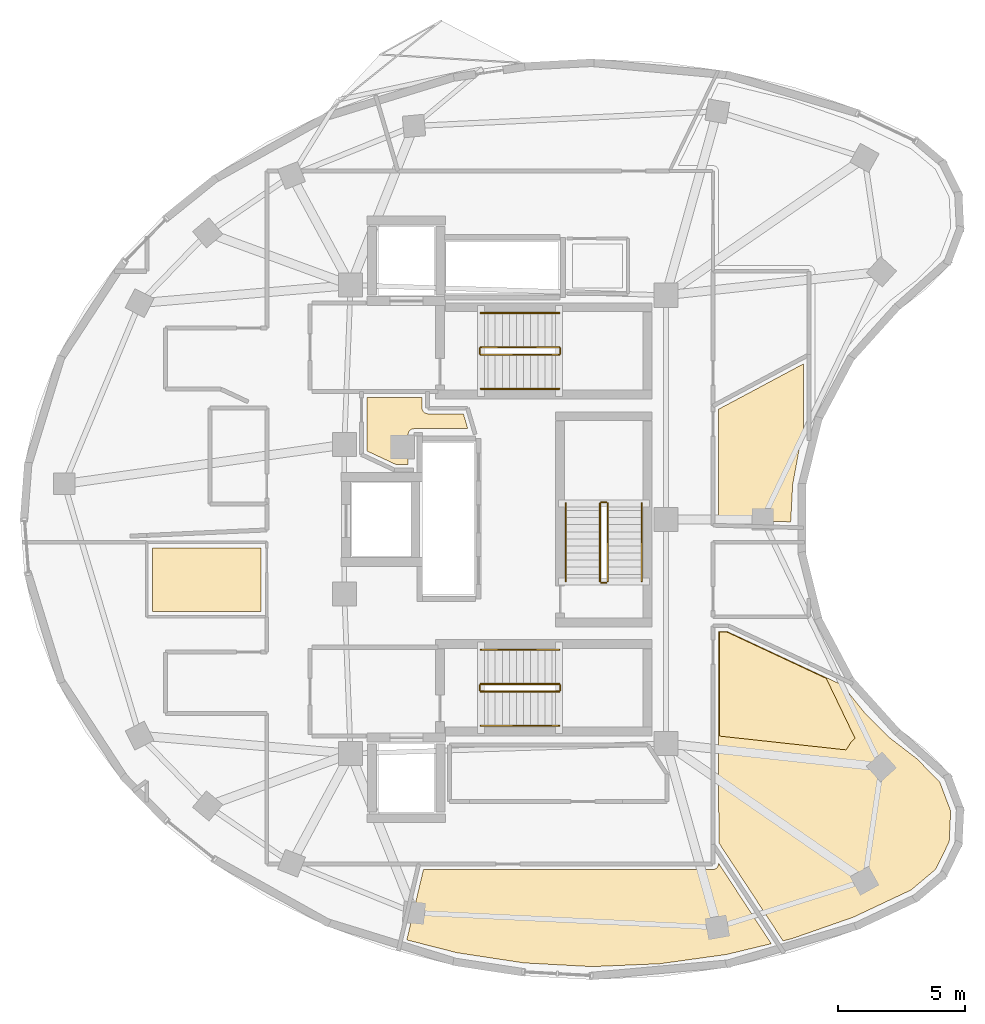
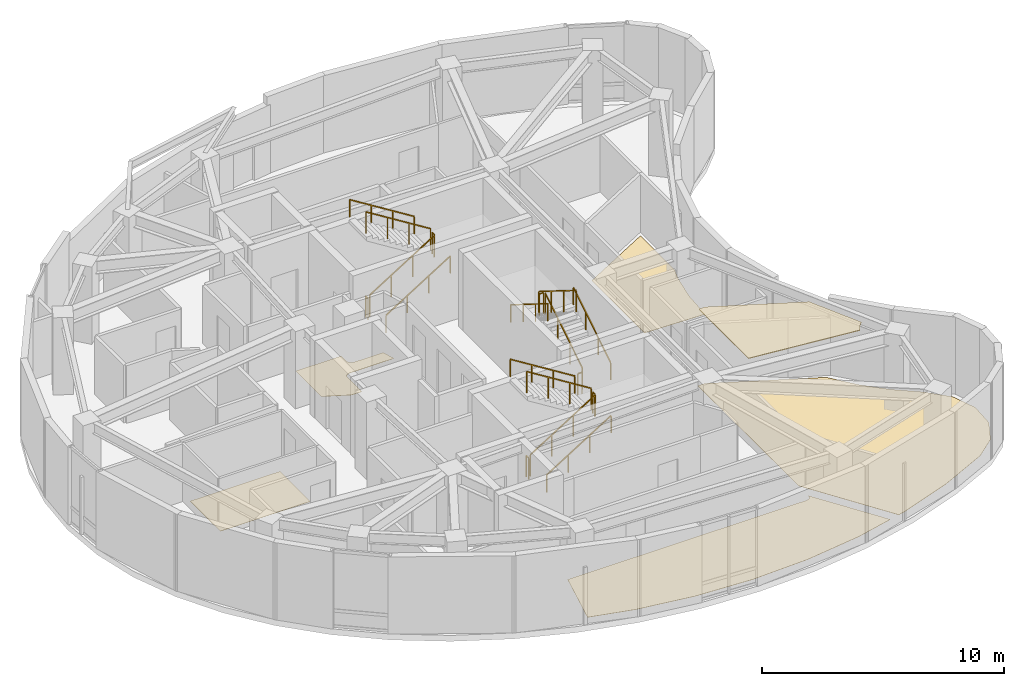
# One storey, part 7 of 8: 18 railings, 6 coverings.
"""IFC4 building model written with IfcOpenShell, lengths in metres."""

from ifc_helpers import new_model, si_unit, direction, frame, origin, origin_2d, place, context, subcontext, project, spatial, polyline, rectangle, outline, extrude, material, layer, layer_set, type_object, element, save


model = new_model("IFC4")

# Units and contexts
model_context = context("Model", 3, precision=1e-05, world=origin(), true_north=direction((0.0, 1.0)))
body_context = subcontext(model_context, "Body", "Model", "MODEL_VIEW")
ifc_project = project(units=[si_unit("LENGTHUNIT", "METRE"), si_unit("AREAUNIT", "SQUARE_METRE"), si_unit("VOLUMEUNIT", "CUBIC_METRE"), si_unit("PLANEANGLEUNIT", "RADIAN"), si_unit("MASSUNIT", "GRAM", prefix="KILO")], contexts=[model_context])

# Site, building, storey
site_placement = place(None, origin())
site = spatial("IfcSite", under=ifc_project, at=site_placement, CompositionType="ELEMENT")
building_placement = place(site_placement, origin())
building = spatial("IfcBuilding", under=site, at=building_placement, Name="Korentha Bioscience Tower", CompositionType="ELEMENT")
storey_placement = place(building_placement, frame((0.0, 0.0, 310.199951171875)))
storey = spatial("IfcBuildingStorey", under=building, at=storey_placement, Name="L71", CompositionType="ELEMENT", Elevation=310.199951171875)

# Railings
ifc_material_1 = material(Name="Stainless Steel 304", Category="steel")
railing_type_1 = type_object("IfcRailingType", Name="Brushed Stainless Stair Handrail 900", PredefinedType="HANDRAIL", material=ifc_material_1)
railing_1_placement = place(storey_placement, frame((30.25, 32.14990234375, 0.175048828125)))
element("IfcRailing", 1, at=railing_1_placement, inside=storey, type_object=railing_type_1, Name="L71 ST-1 stair handrail 1", PredefinedType="HANDRAIL", context=body_context, shape_type="SweptSolid", body=[
    extrude(rectangle(XDim=0.048095703125, YDim=0.048095703125, at=origin_2d()), frame((0.0, 0.0, 0.8759765625), z_axis=(0.847998304005, 0.0, 0.529998940003), x_axis=(0.0, 1.0, 0.0)), (0.0, 0.0, 1.0), 3.632080078125),
    extrude(rectangle(XDim=0.0419921875, YDim=0.0419921875, at=origin_2d()), origin(), (0.0, 0.0, 1.0), 0.851806640625),
    extrude(rectangle(XDim=0.0419921875, YDim=0.0419921875, at=origin_2d()), frame((1.026611328125, 0.0, 0.6416015625)), (0.0, 0.0, 1.0), 0.851806640625),
    extrude(rectangle(XDim=0.0419921875, YDim=0.0419921875, at=origin_2d()), frame((2.053466796875, 0.0, 1.283447265625)), (0.0, 0.0, 1.0), 0.851806640625),
    extrude(rectangle(XDim=0.0419921875, YDim=0.0419921875, at=origin_2d()), frame((3.080078125, 0.0, 1.925048828125)), (0.0, 0.0, 1.0), 0.851806640625),
])
railing_2_placement = place(storey_placement, frame((33.330078125, 35.14990234375, 2.275146484375)))
element("IfcRailing", 2, at=railing_2_placement, inside=storey, type_object=railing_type_1, Name="L71 ST-1 stair handrail 2", PredefinedType="HANDRAIL", context=body_context, shape_type="SweptSolid", body=[
    extrude(rectangle(XDim=0.048095703125, YDim=0.048095703125, at=origin_2d()), frame((0.0, 0.0, 0.8759765625), z_axis=(-0.848028513186, 0.0, 0.529950602248), x_axis=(0.0, -1.0, 0.0)), (0.0, 0.0, 1.0), 3.632080078125),
    extrude(rectangle(XDim=0.0419921875, YDim=0.0419921875, at=origin_2d()), origin(), (0.0, 0.0, 1.0), 0.851806640625),
    extrude(rectangle(XDim=0.0419921875, YDim=0.0419921875, at=origin_2d()), frame((-1.026611328125, 0.0, 0.6416015625)), (0.0, 0.0, 1.0), 0.851806640625),
    extrude(rectangle(XDim=0.0419921875, YDim=0.0419921875, at=origin_2d()), frame((-2.053466796875, 0.0, 1.283203125)), (0.0, 0.0, 1.0), 0.851806640625),
    extrude(rectangle(XDim=0.0419921875, YDim=0.0419921875, at=origin_2d()), frame((-3.080078125, 0.0, 1.9248046875)), (0.0, 0.0, 1.0), 0.851806640625),
])
railing_3_placement = place(storey_placement, frame((30.25, 18.85009765625, 0.175048828125)))
element("IfcRailing", 3, at=railing_3_placement, inside=storey, type_object=railing_type_1, Name="L71 ST-2 stair handrail 1", PredefinedType="HANDRAIL", context=body_context, shape_type="SweptSolid", body=[
    extrude(rectangle(XDim=0.048095703125, YDim=0.048095703125, at=origin_2d()), frame((0.0, 0.0, 0.8759765625), z_axis=(0.847998304005, 0.0, 0.529998940003), x_axis=(0.0, 1.0, 0.0)), (0.0, 0.0, 1.0), 3.632080078125),
    extrude(rectangle(XDim=0.0419921875, YDim=0.0419921875, at=origin_2d()), origin(), (0.0, 0.0, 1.0), 0.851806640625),
    extrude(rectangle(XDim=0.0419921875, YDim=0.0419921875, at=origin_2d()), frame((1.026611328125, 0.0, 0.6416015625)), (0.0, 0.0, 1.0), 0.851806640625),
    extrude(rectangle(XDim=0.0419921875, YDim=0.0419921875, at=origin_2d()), frame((2.053466796875, 0.0, 1.283447265625)), (0.0, 0.0, 1.0), 0.851806640625),
    extrude(rectangle(XDim=0.0419921875, YDim=0.0419921875, at=origin_2d()), frame((3.080078125, 0.0, 1.925048828125)), (0.0, 0.0, 1.0), 0.851806640625),
])
railing_4_placement = place(storey_placement, frame((33.330078125, 21.85009765625, 2.275146484375)))
element("IfcRailing", 4, at=railing_4_placement, inside=storey, type_object=railing_type_1, Name="L71 ST-2 stair handrail 2", PredefinedType="HANDRAIL", context=body_context, shape_type="SweptSolid", body=[
    extrude(rectangle(XDim=0.048095703125, YDim=0.048095703125, at=origin_2d()), frame((0.0, 0.0, 0.8759765625), z_axis=(-0.848028513186, 0.0, 0.529950602248), x_axis=(0.0, -1.0, 0.0)), (0.0, 0.0, 1.0), 3.632080078125),
    extrude(rectangle(XDim=0.0419921875, YDim=0.0419921875, at=origin_2d()), origin(), (0.0, 0.0, 1.0), 0.851806640625),
    extrude(rectangle(XDim=0.0419921875, YDim=0.0419921875, at=origin_2d()), frame((-1.026611328125, 0.0, 0.6416015625)), (0.0, 0.0, 1.0), 0.851806640625),
    extrude(rectangle(XDim=0.0419921875, YDim=0.0419921875, at=origin_2d()), frame((-2.053466796875, 0.0, 1.283203125)), (0.0, 0.0, 1.0), 0.851806640625),
    extrude(rectangle(XDim=0.0419921875, YDim=0.0419921875, at=origin_2d()), frame((-3.080078125, 0.0, 1.9248046875)), (0.0, 0.0, 1.0), 0.851806640625),
])
railing_5_placement = place(storey_placement, frame((36.60009765625, 24.550048828125, 0.175048828125)))
element("IfcRailing", 5, at=railing_5_placement, inside=storey, type_object=railing_type_1, Name="L71 ST-3 stair handrail 1", PredefinedType="HANDRAIL", context=body_context, shape_type="SweptSolid", body=[
    extrude(rectangle(XDim=0.048095703125, YDim=0.048095703125, at=origin_2d()), frame((0.0, 0.0, 0.8759765625), z_axis=(0.0, 0.847979421464, 0.530029150871), x_axis=(-1.0, 0.0, 0.0)), (0.0, 0.0, 1.0), 3.632080078125),
    extrude(rectangle(XDim=0.0419921875, YDim=0.0419921875, at=origin_2d()), origin(), (0.0, 0.0, 1.0), 0.851806640625),
    extrude(rectangle(XDim=0.0419921875, YDim=0.0419921875, at=origin_2d()), frame((0.0, 1.026611328125, 0.6416015625)), (0.0, 0.0, 1.0), 0.851806640625),
    extrude(rectangle(XDim=0.0419921875, YDim=0.0419921875, at=origin_2d()), frame((0.0, 2.05322265625, 1.283447265625)), (0.0, 0.0, 1.0), 0.851806640625),
    extrude(rectangle(XDim=0.0419921875, YDim=0.0419921875, at=origin_2d()), frame((0.0, 3.079833984375, 1.925048828125)), (0.0, 0.0, 1.0), 0.851806640625),
])
railing_6_placement = place(storey_placement, frame((33.60009765625, 27.6298828125, 2.275146484375)))
element("IfcRailing", 6, at=railing_6_placement, inside=storey, type_object=railing_type_1, Name="L71 ST-3 stair handrail 2", PredefinedType="HANDRAIL", context=body_context, shape_type="SweptSolid", body=[
    extrude(rectangle(XDim=0.048095703125, YDim=0.048095703125, at=origin_2d()), frame((0.0, 0.0, 0.8759765625), z_axis=(0.0, -0.848009633417, 0.529980812513), x_axis=(1.0, 0.0, 0.0)), (0.0, 0.0, 1.0), 3.6318359375),
    extrude(rectangle(XDim=0.0419921875, YDim=0.0419921875, at=origin_2d()), origin(), (0.0, 0.0, 1.0), 0.851806640625),
    extrude(rectangle(XDim=0.0419921875, YDim=0.0419921875, at=origin_2d()), frame((0.0, -1.026611328125, 0.6416015625)), (0.0, 0.0, 1.0), 0.851806640625),
    extrude(rectangle(XDim=0.0419921875, YDim=0.0419921875, at=origin_2d()), frame((0.0, -2.05322265625, 1.283203125)), (0.0, 0.0, 1.0), 0.851806640625),
    extrude(rectangle(XDim=0.0419921875, YDim=0.0419921875, at=origin_2d()), frame((0.0, -3.079833984375, 1.9248046875)), (0.0, 0.0, 1.0), 0.851806640625),
])

# Covering
ifc_material_2 = material(Name="Antimicrobial Mineral Fibre Board", Category="gypsum")
ifc_layer_1 = layer(ifc_material_2, 0.034912109375, Name="Antimicrobial Mineral Fibre Board")
ifc_layer_set_1 = layer_set([ifc_layer_1], Name="Antimicrobial Mineral Fibre Board (CL-MF35)")
covering_type_1 = type_object("IfcCoveringType", Name="Mineral-Fibre Cleanroom Suspended Ceiling 35", PredefinedType="CEILING", material=ifc_layer_set_1)
covering_1_placement = place(storey_placement, frame((0.0, 0.0, 3.864990234375)))
element("IfcCovering", 7, at=covering_1_placement, inside=storey, type_object=covering_type_1, Name="L71 Robotic Liquid-Handling Suite 05 Acoustic Ceiling", PredefinedType="CEILING", context=body_context, shape_type="SweptSolid", body=[
    extrude(outline(polyline([(43.88330078125, 20.71923828125), (45.014404296875, 18.363525390625), (44.862548828125, 18.2060546875), (44.66748046875, 17.897705078125), (39.664306640625, 18.442626953125), (39.66015625, 22.548095703125), (39.9619140625, 22.548095703125), (43.88330078125, 20.71923828125)])), origin(), (0.0, 0.0, 1.0), 0.03515625),
])

# Railings
ifc_material_3 = material(Name="Painted Steel S275", Category="steel")
railing_type_2 = type_object("IfcRailingType", Name="Painted Steel Stair Well Guardrail 1100", PredefinedType="GUARDRAIL", material=ifc_material_3)
railing_7_placement = place(storey_placement, frame((30.25, 33.5, 0.175048828125)))
element("IfcRailing", 8, at=railing_7_placement, inside=storey, type_object=railing_type_2, Name="L71 ST-1 stair guard 1", PredefinedType="GUARDRAIL", context=body_context, shape_type="SweptSolid", body=[
    extrude(rectangle(XDim=0.048095703125, YDim=0.048095703125, at=origin_2d()), frame((0.0, 0.0, 1.076171875), z_axis=(0.847998304005, 0.0, 0.529998940003), x_axis=(0.0, 1.0, 0.0)), (0.0, 0.0, 1.0), 3.632080078125),
    extrude(rectangle(XDim=0.0419921875, YDim=0.0419921875, at=origin_2d()), origin(), (0.0, 0.0, 1.0), 1.052001953125),
    extrude(rectangle(XDim=0.0419921875, YDim=0.0419921875, at=origin_2d()), frame((1.026611328125, 0.0, 0.6416015625)), (0.0, 0.0, 1.0), 1.052001953125),
    extrude(rectangle(XDim=0.0419921875, YDim=0.0419921875, at=origin_2d()), frame((2.053466796875, 0.0, 1.283447265625)), (0.0, 0.0, 1.0), 1.052001953125),
    extrude(rectangle(XDim=0.0419921875, YDim=0.0419921875, at=origin_2d()), frame((3.080078125, 0.0, 1.925048828125)), (0.0, 0.0, 1.0), 1.052001953125),
])
railing_8_placement = place(storey_placement, frame((33.3798828125, 33.550048828125, 2.10009765625)))
element("IfcRailing", 9, at=railing_8_placement, inside=storey, type_object=railing_type_2, Name="L71 ST-1 stair guard 2", PredefinedType="GUARDRAIL", context=body_context, shape_type="SweptSolid", body=[
    extrude(rectangle(XDim=0.048095703125, YDim=0.048095703125, at=origin_2d()), frame((0.0, 0.0, 1.076171875), z_axis=(0.0, 1.0, 0.0), x_axis=(-1.0, 0.0, 0.0)), (0.0, 0.0, 1.0), 0.199951171875),
    extrude(rectangle(XDim=0.0419921875, YDim=0.0419921875, at=origin_2d()), origin(), (0.0, 0.0, 1.0), 1.052001953125),
    extrude(rectangle(XDim=0.0419921875, YDim=0.0419921875, at=origin_2d()), frame((0.0, 0.199951171875, 0.0)), (0.0, 0.0, 1.0), 1.052001953125),
])
railing_9_placement = place(storey_placement, frame((33.330078125, 33.800048828125, 2.275146484375)))
element("IfcRailing", 10, at=railing_9_placement, inside=storey, type_object=railing_type_2, Name="L71 ST-1 stair guard 3", PredefinedType="GUARDRAIL", context=body_context, shape_type="SweptSolid", body=[
    extrude(rectangle(XDim=0.048095703125, YDim=0.048095703125, at=origin_2d()), frame((0.0, 0.0, 1.076171875), z_axis=(-0.848028513186, 0.0, 0.529950602248), x_axis=(0.0, -1.0, 0.0)), (0.0, 0.0, 1.0), 3.632080078125),
    extrude(rectangle(XDim=0.0419921875, YDim=0.0419921875, at=origin_2d()), origin(), (0.0, 0.0, 1.0), 1.052001953125),
    extrude(rectangle(XDim=0.0419921875, YDim=0.0419921875, at=origin_2d()), frame((-1.026611328125, 0.0, 0.6416015625)), (0.0, 0.0, 1.0), 1.052001953125),
    extrude(rectangle(XDim=0.0419921875, YDim=0.0419921875, at=origin_2d()), frame((-2.053466796875, 0.0, 1.283203125)), (0.0, 0.0, 1.0), 1.052001953125),
    extrude(rectangle(XDim=0.0419921875, YDim=0.0419921875, at=origin_2d()), frame((-3.080078125, 0.0, 1.9248046875)), (0.0, 0.0, 1.0), 1.052001953125),
])
railing_10_placement = place(storey_placement, frame((30.199951171875, 33.550048828125, 0.0)))
element("IfcRailing", 11, at=railing_10_placement, inside=storey, type_object=railing_type_2, Name="L71 ST-1 stair guard 4", PredefinedType="GUARDRAIL", context=body_context, shape_type="SweptSolid", body=[
    extrude(rectangle(XDim=0.048095703125, YDim=0.048095703125, at=origin_2d()), frame((0.0, 0.0, 1.076171875), z_axis=(0.0, 1.0, 0.0), x_axis=(-1.0, 0.0, 0.0)), (0.0, 0.0, 1.0), 0.199951171875),
    extrude(rectangle(XDim=0.0419921875, YDim=0.0419921875, at=origin_2d()), origin(), (0.0, 0.0, 1.0), 1.052001953125),
    extrude(rectangle(XDim=0.0419921875, YDim=0.0419921875, at=origin_2d()), frame((0.0, 0.199951171875, 0.0)), (0.0, 0.0, 1.0), 1.052001953125),
])
railing_11_placement = place(storey_placement, frame((30.25, 20.199951171875, 0.175048828125)))
element("IfcRailing", 12, at=railing_11_placement, inside=storey, type_object=railing_type_2, Name="L71 ST-2 stair guard 1", PredefinedType="GUARDRAIL", context=body_context, shape_type="SweptSolid", body=[
    extrude(rectangle(XDim=0.048095703125, YDim=0.048095703125, at=origin_2d()), frame((0.0, 0.0, 1.076171875), z_axis=(0.847998304005, 0.0, 0.529998940003), x_axis=(0.0, 1.0, 0.0)), (0.0, 0.0, 1.0), 3.632080078125),
    extrude(rectangle(XDim=0.0419921875, YDim=0.0419921875, at=origin_2d()), origin(), (0.0, 0.0, 1.0), 1.052001953125),
    extrude(rectangle(XDim=0.0419921875, YDim=0.0419921875, at=origin_2d()), frame((1.026611328125, 0.0, 0.6416015625)), (0.0, 0.0, 1.0), 1.052001953125),
    extrude(rectangle(XDim=0.0419921875, YDim=0.0419921875, at=origin_2d()), frame((2.053466796875, 0.0, 1.283447265625)), (0.0, 0.0, 1.0), 1.052001953125),
    extrude(rectangle(XDim=0.0419921875, YDim=0.0419921875, at=origin_2d()), frame((3.080078125, 0.0, 1.925048828125)), (0.0, 0.0, 1.0), 1.052001953125),
])
railing_12_placement = place(storey_placement, frame((33.3798828125, 20.25, 2.10009765625)))
element("IfcRailing", 13, at=railing_12_placement, inside=storey, type_object=railing_type_2, Name="L71 ST-2 stair guard 2", PredefinedType="GUARDRAIL", context=body_context, shape_type="SweptSolid", body=[
    extrude(rectangle(XDim=0.048095703125, YDim=0.048095703125, at=origin_2d()), frame((0.0, 0.0, 1.076171875), z_axis=(0.0, 1.0, 0.0), x_axis=(-1.0, 0.0, 0.0)), (0.0, 0.0, 1.0), 0.199951171875),
    extrude(rectangle(XDim=0.0419921875, YDim=0.0419921875, at=origin_2d()), origin(), (0.0, 0.0, 1.0), 1.052001953125),
    extrude(rectangle(XDim=0.0419921875, YDim=0.0419921875, at=origin_2d()), frame((0.0, 0.199951171875, 0.0)), (0.0, 0.0, 1.0), 1.052001953125),
])
railing_13_placement = place(storey_placement, frame((33.330078125, 20.5, 2.275146484375)))
element("IfcRailing", 14, at=railing_13_placement, inside=storey, type_object=railing_type_2, Name="L71 ST-2 stair guard 3", PredefinedType="GUARDRAIL", context=body_context, shape_type="SweptSolid", body=[
    extrude(rectangle(XDim=0.048095703125, YDim=0.048095703125, at=origin_2d()), frame((0.0, 0.0, 1.076171875), z_axis=(-0.848028513186, 0.0, 0.529950602248), x_axis=(0.0, -1.0, 0.0)), (0.0, 0.0, 1.0), 3.632080078125),
    extrude(rectangle(XDim=0.0419921875, YDim=0.0419921875, at=origin_2d()), origin(), (0.0, 0.0, 1.0), 1.052001953125),
    extrude(rectangle(XDim=0.0419921875, YDim=0.0419921875, at=origin_2d()), frame((-1.026611328125, 0.0, 0.6416015625)), (0.0, 0.0, 1.0), 1.052001953125),
    extrude(rectangle(XDim=0.0419921875, YDim=0.0419921875, at=origin_2d()), frame((-2.053466796875, 0.0, 1.283203125)), (0.0, 0.0, 1.0), 1.052001953125),
    extrude(rectangle(XDim=0.0419921875, YDim=0.0419921875, at=origin_2d()), frame((-3.080078125, 0.0, 1.9248046875)), (0.0, 0.0, 1.0), 1.052001953125),
])
railing_14_placement = place(storey_placement, frame((30.199951171875, 20.25, 0.0)))
element("IfcRailing", 15, at=railing_14_placement, inside=storey, type_object=railing_type_2, Name="L71 ST-2 stair guard 4", PredefinedType="GUARDRAIL", context=body_context, shape_type="SweptSolid", body=[
    extrude(rectangle(XDim=0.048095703125, YDim=0.048095703125, at=origin_2d()), frame((0.0, 0.0, 1.076171875), z_axis=(0.0, 1.0, 0.0), x_axis=(-1.0, 0.0, 0.0)), (0.0, 0.0, 1.0), 0.199951171875),
    extrude(rectangle(XDim=0.0419921875, YDim=0.0419921875, at=origin_2d()), origin(), (0.0, 0.0, 1.0), 1.052001953125),
    extrude(rectangle(XDim=0.0419921875, YDim=0.0419921875, at=origin_2d()), frame((0.0, 0.199951171875, 0.0)), (0.0, 0.0, 1.0), 1.052001953125),
])
railing_15_placement = place(storey_placement, frame((35.25, 24.550048828125, 0.175048828125)))
element("IfcRailing", 16, at=railing_15_placement, inside=storey, type_object=railing_type_2, Name="L71 ST-3 stair guard 1", PredefinedType="GUARDRAIL", context=body_context, shape_type="SweptSolid", body=[
    extrude(rectangle(XDim=0.048095703125, YDim=0.048095703125, at=origin_2d()), frame((0.0, 0.0, 1.076171875), z_axis=(0.0, 0.847979421464, 0.530029150871), x_axis=(-1.0, 0.0, 0.0)), (0.0, 0.0, 1.0), 3.632080078125),
    extrude(rectangle(XDim=0.0419921875, YDim=0.0419921875, at=origin_2d()), origin(), (0.0, 0.0, 1.0), 1.052001953125),
    extrude(rectangle(XDim=0.0419921875, YDim=0.0419921875, at=origin_2d()), frame((0.0, 1.026611328125, 0.6416015625)), (0.0, 0.0, 1.0), 1.052001953125),
    extrude(rectangle(XDim=0.0419921875, YDim=0.0419921875, at=origin_2d()), frame((0.0, 2.05322265625, 1.283447265625)), (0.0, 0.0, 1.0), 1.052001953125),
    extrude(rectangle(XDim=0.0419921875, YDim=0.0419921875, at=origin_2d()), frame((0.0, 3.079833984375, 1.925048828125)), (0.0, 0.0, 1.0), 1.052001953125),
])
railing_16_placement = place(storey_placement, frame((35.199951171875, 27.679931640625, 2.10009765625)))
element("IfcRailing", 17, at=railing_16_placement, inside=storey, type_object=railing_type_2, Name="L71 ST-3 stair guard 2", PredefinedType="GUARDRAIL", context=body_context, shape_type="SweptSolid", body=[
    extrude(rectangle(XDim=0.048095703125, YDim=0.048095703125, at=origin_2d()), frame((0.0, 0.0, 1.076171875), z_axis=(-1.0, 0.0, 0.0), x_axis=(0.0, -1.0, 0.0)), (0.0, 0.0, 1.0), 0.199951171875),
    extrude(rectangle(XDim=0.0419921875, YDim=0.0419921875, at=origin_2d()), origin(), (0.0, 0.0, 1.0), 1.052001953125),
    extrude(rectangle(XDim=0.0419921875, YDim=0.0419921875, at=origin_2d()), frame((-0.199951171875, 0.0, 0.0)), (0.0, 0.0, 1.0), 1.052001953125),
])
railing_17_placement = place(storey_placement, frame((34.949951171875, 27.6298828125, 2.275146484375)))
element("IfcRailing", 18, at=railing_17_placement, inside=storey, type_object=railing_type_2, Name="L71 ST-3 stair guard 3", PredefinedType="GUARDRAIL", context=body_context, shape_type="SweptSolid", body=[
    extrude(rectangle(XDim=0.048095703125, YDim=0.048095703125, at=origin_2d()), frame((0.0, 0.0, 1.076171875), z_axis=(0.0, -0.848009633417, 0.529980812513), x_axis=(1.0, 0.0, 0.0)), (0.0, 0.0, 1.0), 3.6318359375),
    extrude(rectangle(XDim=0.0419921875, YDim=0.0419921875, at=origin_2d()), origin(), (0.0, 0.0, 1.0), 1.052001953125),
    extrude(rectangle(XDim=0.0419921875, YDim=0.0419921875, at=origin_2d()), frame((0.0, -1.026611328125, 0.6416015625)), (0.0, 0.0, 1.0), 1.052001953125),
    extrude(rectangle(XDim=0.0419921875, YDim=0.0419921875, at=origin_2d()), frame((0.0, -2.05322265625, 1.283203125)), (0.0, 0.0, 1.0), 1.052001953125),
    extrude(rectangle(XDim=0.0419921875, YDim=0.0419921875, at=origin_2d()), frame((0.0, -3.079833984375, 1.9248046875)), (0.0, 0.0, 1.0), 1.052001953125),
])
railing_18_placement = place(storey_placement, frame((35.199951171875, 24.5, 0.0)))
element("IfcRailing", 19, at=railing_18_placement, inside=storey, type_object=railing_type_2, Name="L71 ST-3 stair guard 4", PredefinedType="GUARDRAIL", context=body_context, shape_type="SweptSolid", body=[
    extrude(rectangle(XDim=0.048095703125, YDim=0.048095703125, at=origin_2d()), frame((0.0, 0.0, 1.076171875), z_axis=(-1.0, 0.0, 0.0), x_axis=(0.0, -1.0, 0.0)), (0.0, 0.0, 1.0), 0.199951171875),
    extrude(rectangle(XDim=0.0419921875, YDim=0.0419921875, at=origin_2d()), origin(), (0.0, 0.0, 1.0), 1.052001953125),
    extrude(rectangle(XDim=0.0419921875, YDim=0.0419921875, at=origin_2d()), frame((-0.199951171875, 0.0, 0.0)), (0.0, 0.0, 1.0), 1.052001953125),
])

# Coverings
ifc_material_4 = material(Name="Chemical-Resistant Epoxy Resin", Category="polymer")
ifc_layer_2 = layer(ifc_material_4, 0.011962890625, Name="Chemical-Resistant Epoxy Resin")
ifc_layer_set_2 = layer_set([ifc_layer_2], Name="Chemical-Resistant Epoxy Resin (FL-EPX)")
covering_type_2 = type_object("IfcCoveringType", Name="Seamless Epoxy Laboratory Flooring 12", PredefinedType="FLOORING", material=ifc_layer_set_2)
covering_2_placement = place(storey_placement, origin())
element("IfcCovering", 20, at=covering_2_placement, inside=storey, type_object=covering_type_2, Name="L71 Research Colloquium Seminar Room 01 Floor Finish", PredefinedType="FLOORING", context=body_context, shape_type="SweptSolid", body=[
    extrude(outline(polyline([(17.27197265625, 25.8779296875), (21.570068359375, 25.8779296875), (21.570068359375, 23.3720703125), (17.27197265625, 23.3720703125), (17.27197265625, 25.8779296875)])), origin(), (0.0, 0.0, 1.0), 0.011962890625),
])
covering_3_placement = place(storey_placement, origin())
element("IfcCovering", 21, at=covering_3_placement, inside=storey, type_object=covering_type_2, Name="L71 Biospecimen Archive Store 03 Floor Finish", PredefinedType="FLOORING", context=body_context, shape_type="SweptSolid", body=[
    extrude(outline(polyline([(27.975341796875, 13.167724609375), (39.39990234375, 13.169921875), (39.497802734375, 13.19189453125), (39.570068359375, 13.2451171875), (39.61669921875, 13.322998046875), (39.6298828125, 13.423095703125), (41.710205078125, 10.244384765625), (39.9462890625, 9.819580078125), (37.303955078125, 9.451416015625), (34.624755859375, 9.339111328125), (31.947998046875, 9.484619140625), (29.3134765625, 9.885498046875), (27.3193359375, 10.392822265625), (27.975341796875, 13.167724609375)])), origin(), (0.0, 0.0, 1.0), 0.011962890625),
])
covering_4_placement = place(storey_placement, origin())
element("IfcCovering", 22, at=covering_4_placement, inside=storey, type_object=covering_type_2, Name="L71 Robotic Liquid-Handling Suite 05 Floor Finish", PredefinedType="FLOORING", context=body_context, shape_type="SweptSolid", body=[
    extrude(outline(polyline([(39.968505859375, 22.577880859375), (44.529541015625, 20.451171875), (45.4375, 19.31005859375), (46.40087890625, 18.364013671875), (47.46923828125, 17.541015625), (48.3662109375, 16.61962890625), (48.796142578125, 15.481689453125), (48.736083984375, 14.266845703125), (48.19580078125, 13.177001953125), (47.23486328125, 12.36767578125), (44.966064453125, 11.29736328125), (42.512939453125, 10.43798828125), (42.174560546875, 10.3564453125), (39.63818359375, 14.232421875), (39.630126953125, 22.577880859375), (39.968505859375, 22.577880859375)])), origin(), (0.0, 0.0, 1.0), 0.011962890625),
])
covering_5_placement = place(storey_placement, origin())
element("IfcCovering", 23, at=covering_5_placement, inside=storey, type_object=covering_type_2, Name="L71 Optical Metrology Darkroom 07 Floor Finish", PredefinedType="FLOORING", context=body_context, shape_type="SweptSolid", body=[
    extrude(outline(polyline([(42.806396484375, 29.74169921875), (42.556640625, 28.37890625), (42.477783203125, 26.90185546875), (39.6298828125, 26.981201171875), (39.6298828125, 31.3505859375), (42.97802734375, 33.13818359375), (42.97802734375, 30.298095703125), (42.806396484375, 29.74169921875)])), origin(), (0.0, 0.0, 1.0), 0.011962890625),
])
covering_6_placement = place(storey_placement, origin())
element("IfcCovering", 24, at=covering_6_placement, inside=storey, type_object=covering_type_2, Name="L71 Terrace View Refreshment Lounge 11 Floor Finish", PredefinedType="FLOORING", context=body_context, shape_type="SweptSolid", body=[
    extrude(outline(polyline([(27.60009765625, 30.580078125), (27.522216796875, 30.56640625), (27.44580078125, 30.520751953125), (27.402587890625, 30.4677734375), (27.37255859375, 30.38427734375), (27.3701171875, 29.169921875), (26.882568359375, 29.169921875), (25.75, 29.697998046875), (25.75, 31.820068359375), (27.919921875, 31.820068359375), (27.922607421875, 31.36572265625), (27.952880859375, 31.28125), (28.013427734375, 31.215087890625), (28.13916015625, 31.17041015625), (29.55224609375, 31.169921875), (29.725830078125, 30.580078125), (27.60009765625, 30.580078125)])), origin(), (0.0, 0.0, 1.0), 0.011962890625),
])

save(model, "model.ifc")
